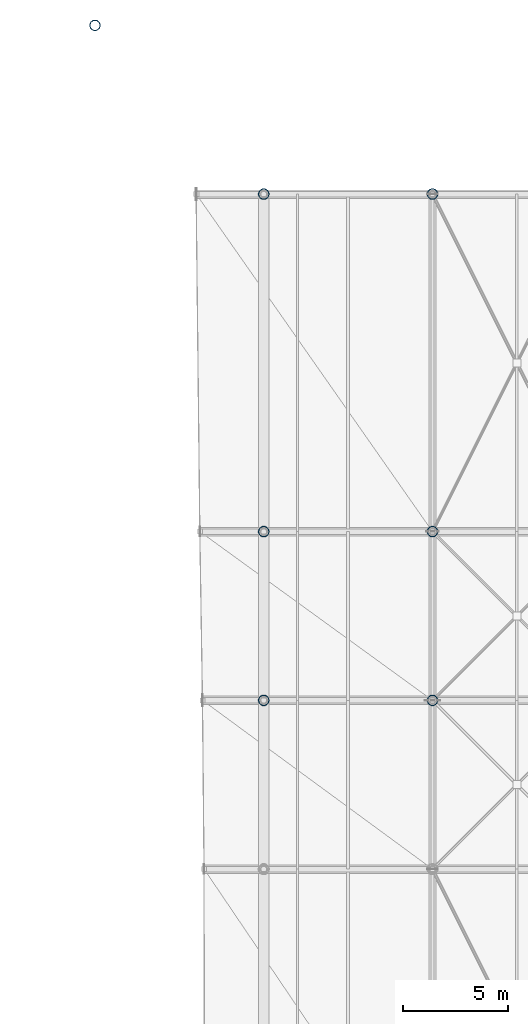
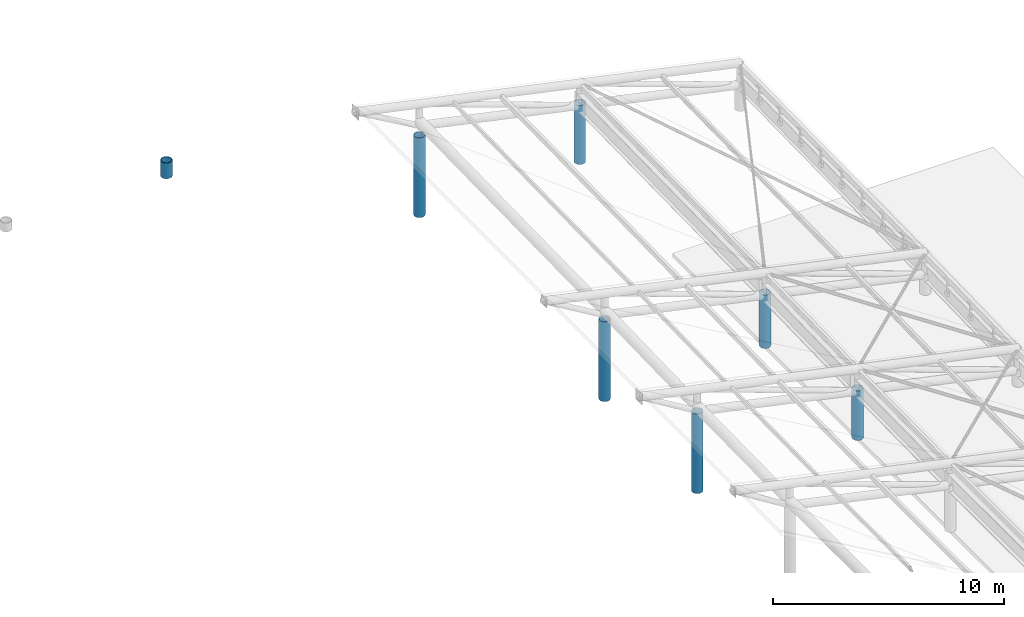
# One storey, part 8 of 41: 7 columns.
"""IFC4 building model written with IfcOpenShell, lengths in metres."""

from ifc_helpers import new_model, si_unit, direction, frame, origin, origin_2d, place, context, subcontext, project, spatial, hollow_circle, extrude, material, material_profile, profile_set, type_object, element, save


model = new_model("IFC4")

# Units and contexts
model_context = context("Model", 3, precision=1e-05, world=origin(), true_north=direction((0.0, 1.0)))
body_context = subcontext(model_context, "Body", "Model", "MODEL_VIEW")
ifc_project = project(units=[si_unit("LENGTHUNIT", "METRE"), si_unit("AREAUNIT", "SQUARE_METRE"), si_unit("VOLUMEUNIT", "CUBIC_METRE"), si_unit("PLANEANGLEUNIT", "RADIAN"), si_unit("MASSUNIT", "GRAM", prefix="KILO")], contexts=[model_context])

# Site, building, storey
site_placement = place(None, origin())
site = spatial("IfcSite", under=ifc_project, at=site_placement, CompositionType="ELEMENT")
building_placement = place(site_placement, origin())
building = spatial("IfcBuilding", under=site, at=building_placement, Name="Haebicheon Civic Stadium", CompositionType="ELEMENT")
storey_placement = place(building_placement, frame((0.0, 0.0, 27.0)))
storey = spatial("IfcBuildingStorey", under=building, at=storey_placement, Name="L07", CompositionType="ELEMENT", Elevation=27.0)

# Columns
ifc_material = material(Name="White painted steel SM490", Category="steel")
ifc_material_profile = material_profile(ifc_material, hollow_circle(Radius=0.25390625, WallThickness=0.02490234375, at=origin_2d()), Name="CHS-508.0x25.0")
ifc_profile_set = profile_set([ifc_material_profile], Name="White painted steel SM490")
column_type = type_object("IfcColumnType", Name="COL-ST-CHS508", PredefinedType="COLUMN", material=ifc_profile_set)
column_1_placement = place(storey_placement, frame((144.0, 112.0, 0.0), z_axis=(0.0, 0.0, 1.0), x_axis=(1.0, 0.0, 0.0)))
element("IfcColumn", 1, at=column_1_placement, inside=storey, type_object=column_type, material=ifc_profile_set, Name="Bowl/canopy support column 144/112 (L07)", PredefinedType="COLUMN", context=body_context, shape_type="SweptSolid", body=[
    extrude(hollow_circle(Radius=0.25390625, WallThickness=0.02490234375, at=origin_2d()), origin(), (0.0, 0.0, 1.0), 2.612060546875),
])
column_2_placement = place(storey_placement, frame((136.0, 112.0, 0.0), z_axis=(0.0, 0.0, 1.0), x_axis=(1.0, 0.0, 0.0)))
element("IfcColumn", 2, at=column_2_placement, inside=storey, type_object=column_type, material=ifc_profile_set, Name="Bowl/canopy support column 136/112 (L07)", PredefinedType="COLUMN", context=body_context, shape_type="SweptSolid", body=[
    extrude(hollow_circle(Radius=0.25390625, WallThickness=0.02490234375, at=origin_2d()), origin(), (0.0, 0.0, 1.0), 4.199951171875),
])
column_3_placement = place(storey_placement, frame((144.0, 120.0, 0.0), z_axis=(0.0, 0.0, 1.0), x_axis=(1.0, 0.0, 0.0)))
element("IfcColumn", 3, at=column_3_placement, inside=storey, type_object=column_type, material=ifc_profile_set, Name="Bowl/canopy support column 144/120 (L07)", PredefinedType="COLUMN", context=body_context, shape_type="SweptSolid", body=[
    extrude(hollow_circle(Radius=0.25390625, WallThickness=0.02490234375, at=origin_2d()), origin(), (0.0, 0.0, 1.0), 2.818115234375),
])
column_4_placement = place(storey_placement, frame((136.0, 120.0, 0.0), z_axis=(0.0, 0.0, 1.0), x_axis=(1.0, 0.0, 0.0)))
element("IfcColumn", 4, at=column_4_placement, inside=storey, type_object=column_type, material=ifc_profile_set, Name="Bowl/canopy support column 136/120 (L07)", PredefinedType="COLUMN", context=body_context, shape_type="SweptSolid", body=[
    extrude(hollow_circle(Radius=0.25390625, WallThickness=0.02490234375, at=origin_2d()), origin(), (0.0, 0.0, 1.0), 4.199951171875),
])
column_5_placement = place(storey_placement, frame((144.0, 136.0, 0.0), z_axis=(0.0, 0.0, 1.0), x_axis=(1.0, 0.0, 0.0)))
element("IfcColumn", 5, at=column_5_placement, inside=storey, type_object=column_type, material=ifc_profile_set, Name="Bowl/canopy support column 144/136 (L07)", PredefinedType="COLUMN", context=body_context, shape_type="SweptSolid", body=[
    extrude(hollow_circle(Radius=0.25390625, WallThickness=0.02490234375, at=origin_2d()), origin(), (0.0, 0.0, 1.0), 3.10693359375),
])
column_6_placement = place(storey_placement, frame((136.0, 136.0, 0.0), z_axis=(0.0, 0.0, 1.0), x_axis=(1.0, 0.0, 0.0)))
element("IfcColumn", 6, at=column_6_placement, inside=storey, type_object=column_type, material=ifc_profile_set, Name="Bowl/canopy support column 136/136 (L07)", PredefinedType="COLUMN", context=body_context, shape_type="SweptSolid", body=[
    extrude(hollow_circle(Radius=0.25390625, WallThickness=0.02490234375, at=origin_2d()), origin(), (0.0, 0.0, 1.0), 4.199951171875),
])
column_7_placement = place(storey_placement, frame((128.0, 144.0, 0.0), z_axis=(0.0, 0.0, 1.0), x_axis=(1.0, 0.0, 0.0)))
element("IfcColumn", 7, at=column_7_placement, inside=storey, type_object=column_type, material=ifc_profile_set, Name="Bowl/canopy support column 128/144 (L07)", PredefinedType="COLUMN", context=body_context, shape_type="SweptSolid", body=[
    extrude(hollow_circle(Radius=0.25390625, WallThickness=0.02490234375, at=origin_2d()), origin(), (0.0, 0.0, 1.0), 0.826904296875),
])

save(model, "model.ifc")
